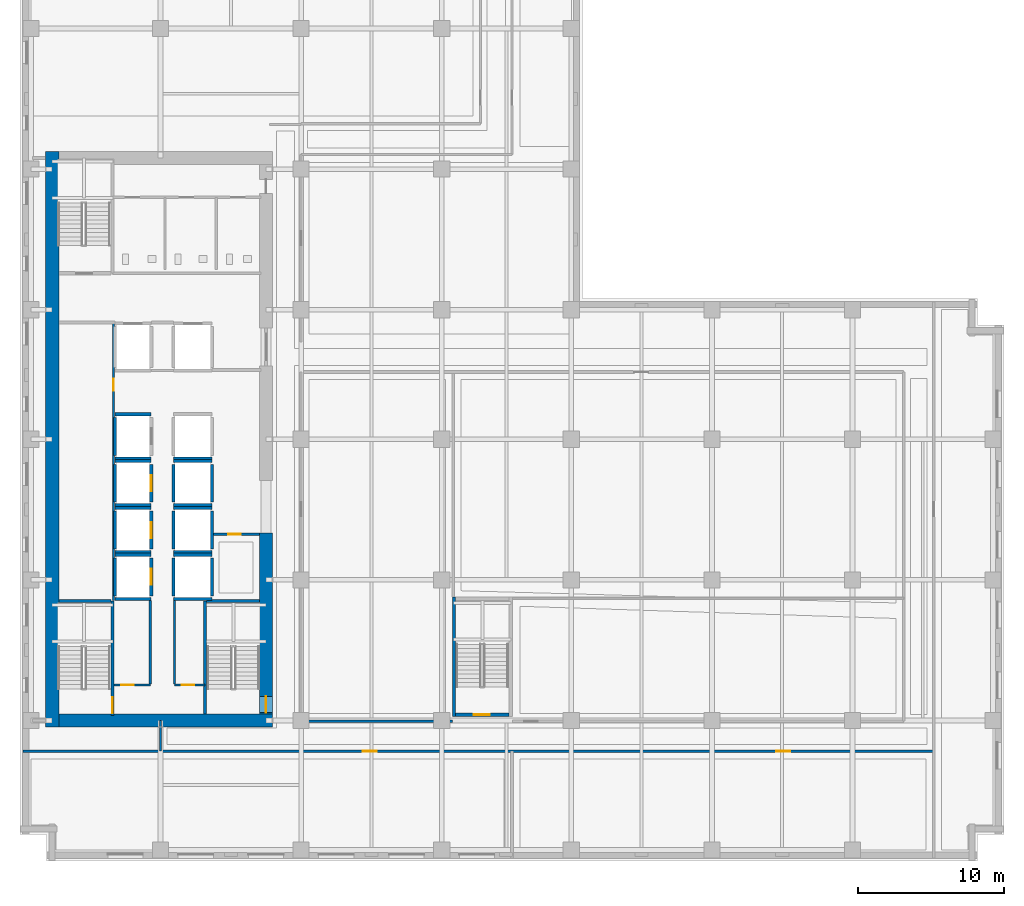
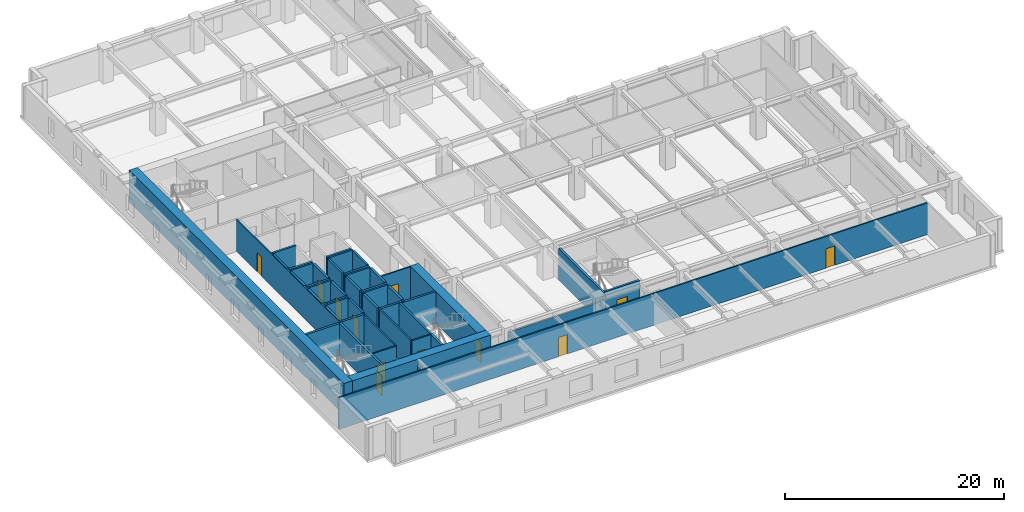
# One storey, part 4 of 15: 46 walls, 12 doors, 12 openings.
"""IFC4 building model written with IfcOpenShell, lengths in metres."""

from ifc_helpers import new_model, si_unit, direction, frame, frame_2d, origin, place, context, subcontext, project, spatial, rectangle, extrude, material, layer, layer_set, type_object, element, fill, save


model = new_model("IFC4")

# Units and contexts
model_context = context("Model", 3, precision=1e-05, world=origin(), true_north=direction((0.0, 1.0)))
body_context = subcontext(model_context, "Body", "Model", "MODEL_VIEW")
ifc_project = project(units=[si_unit("LENGTHUNIT", "METRE"), si_unit("AREAUNIT", "SQUARE_METRE"), si_unit("VOLUMEUNIT", "CUBIC_METRE"), si_unit("PLANEANGLEUNIT", "RADIAN"), si_unit("MASSUNIT", "GRAM", prefix="KILO")], contexts=[model_context])

# Site, building, storey
site_placement = place(None, origin())
site = spatial("IfcSite", under=ifc_project, at=site_placement, CompositionType="ELEMENT")
building_placement = place(site_placement, origin())
building = spatial("IfcBuilding", under=site, at=building_placement, Name="Norrvale University Quadrangle", CompositionType="ELEMENT")
storey_placement = place(building_placement, frame((0.0, 0.0, 88.800048828125)))
storey = spatial("IfcBuildingStorey", under=building, at=storey_placement, Name="L22", CompositionType="ELEMENT", Elevation=88.800048828125)

# Walls
ifc_material_1 = material(Name="Concrete C80/95", Category="concrete")
ifc_layer_1 = layer(ifc_material_1, 0.89990234375, Name="Concrete C80/95")
ifc_layer_set_1 = layer_set([ifc_layer_1], Name="Concrete C80/95")
wall_type_1 = type_object("IfcWallType", Name="Wall Core 900", PredefinedType="SHEAR", material=ifc_layer_set_1)
wall_1_placement = place(storey_placement, frame((2.64990234375, 9.60009765625, 0.0), z_axis=(0.0, 0.0, 1.0), x_axis=(1.0, 0.0, 0.0)))
element("IfcWall", 1, at=wall_1_placement, inside=storey, type_object=wall_type_1, Name="Tower Core Shear Wall L22-S", PredefinedType="SHEAR", context=body_context, shape_type="SweptSolid", body=[
    extrude(rectangle(XDim=14.60009765625, YDim=0.89990234375, at=frame_2d((7.300048828125, 0.0))), origin(), (0.0, 0.0, 1.0), 3.5400390625),
])
wall_2_placement = place(storey_placement, frame((2.199951171875, 9.14990234375, 0.0), z_axis=(0.0, 0.0, 1.0), x_axis=(0.0, 1.0, 0.0)))
element("IfcWall", 2, at=wall_2_placement, inside=storey, type_object=wall_type_1, Name="Tower Core Shear Wall L22-W", PredefinedType="SHEAR", context=body_context, shape_type="SweptSolid", body=[
    extrude(rectangle(XDim=39.300048828125, YDim=0.89990234375, at=frame_2d((19.64990234375, 0.0))), origin(), (0.0, 0.0, 1.0), 3.5400390625),
])

# Wall, opening, door
wall_3_placement = place(storey_placement, frame((16.800048828125, 10.050048828125, 0.0), z_axis=(0.0, 0.0, 1.0), x_axis=(0.0, 1.0, 0.0)))
wall_3 = element("IfcWall", 3, at=wall_3_placement, inside=storey, type_object=wall_type_1, Name="Tower Core Shear Wall L22-E1", PredefinedType="SHEAR", context=body_context, shape_type="SweptSolid", body=[
    extrude(rectangle(XDim=12.349853515625, YDim=0.89990234375, at=frame_2d((6.1748046875, 0.0))), origin(), (0.0, 0.0, 1.0), 3.5400390625),
])
opening_1_placement = place(wall_3_placement, frame((0.090087890625, 0.0, 0.0)))
opening_1 = element("IfcOpeningElement", 4, at=opening_1_placement, cuts=wall_3, Name="Opening D02", PredefinedType="OPENING", context=body_context, shape_type="SweptSolid", body=[
    extrude(rectangle(XDim=1.10009765625, YDim=2.199951171875, at=frame_2d((0.550048828125, 1.10009765625))), frame((0.0, 0.4619140625, 0.0), z_axis=(0.0, -1.0, 0.0), x_axis=(1.0, 0.0, 0.0)), (0.0, 0.0, 1.0), 0.923828125),
])
ifc_material_2 = material(Name="Hollow Steel 350W Fire Door", Category="steel")
door_type_1 = type_object("IfcDoorType", Name="Door Stair Exit 1100x2200", OperationType="NOTDEFINED", PredefinedType="DOOR", material=ifc_material_2)
door_1_placement = place(opening_1_placement, origin())
door_1 = element("IfcDoor", 5, at=door_1_placement, inside=storey, type_object=door_type_1, Name="Door Stair Exit 1100x2200 DR-L22-ST03", OperationType="SINGLE_SWING_LEFT", OverallHeight=2.199951171875, OverallWidth=1.10009765625, PredefinedType="DOOR", context=body_context, shape_type="SweptSolid", body=[
    extrude(rectangle(XDim=1.10009765625, YDim=2.199951171875, at=frame_2d((0.550048828125, 1.10009765625))), frame((0.0, 0.02490234375, 0.0), z_axis=(0.0, -1.0, 0.0), x_axis=(1.0, 0.0, 0.0)), (0.0, 0.0, 1.0), 0.050048828125),
])
fill(opening_1, door_1)

ifc_material_3 = material(Name="Fire-Rated Gypsum Stud Partition")
ifc_layer_2 = layer(ifc_material_3, 0.14990234375, Name="Fire-Rated Gypsum Stud Partition")
ifc_layer_set_2 = layer_set([ifc_layer_2], Name="Fire-Rated Gypsum Stud Partition")
wall_type_2 = type_object("IfcWallType", Name="Wall Gypsum Corridor 150", PredefinedType="PARTITIONING", material=ifc_layer_set_2)
wall_4_placement = place(storey_placement, frame((6.419921875, 12.02001953125, 0.0), z_axis=(0.0, 0.0, 1.0), x_axis=(1.0, 0.0, 0.0)))
wall_4 = element("IfcWall", 6, at=wall_4_placement, inside=storey, type_object=wall_type_2, Name="Interior Partition WL-L22-SC-NL", PredefinedType="PARTITIONING", context=body_context, shape_type="SweptSolid", body=[
    extrude(rectangle(XDim=2.47998046875, YDim=0.14990234375, at=frame_2d((1.239990234375, 0.0))), origin(), (0.0, 0.0, 1.0), 3.5400390625),
])
opening_2_placement = place(wall_4_placement, frame((0.5, 0.0, 0.0)))
opening_2 = element("IfcOpeningElement", 7, at=opening_2_placement, cuts=wall_4, Name="Opening D10", PredefinedType="OPENING", context=body_context, shape_type="SweptSolid", body=[
    extrude(rectangle(XDim=0.85009765625, YDim=2.10009765625, at=frame_2d((0.425048828125, 1.050048828125))), frame((0.0, 0.0869140625, 0.0), z_axis=(0.0, -1.0, 0.0), x_axis=(1.0, 0.0, 0.0)), (0.0, 0.0, 1.0), 0.173828125),
])
ifc_material_4 = material(Name="Hollow Steel 350W Riser Fire Door", Category="steel")
door_type_2 = type_object("IfcDoorType", Name="Door Riser 850x2100", OperationType="NOTDEFINED", PredefinedType="DOOR", material=ifc_material_4)
door_2_placement = place(opening_2_placement, origin())
door_2 = element("IfcDoor", 8, at=door_2_placement, inside=storey, type_object=door_type_2, Name="Door Riser 850x2100 DR-L22-ELEC", OperationType="SINGLE_SWING_LEFT", OverallHeight=2.10009765625, OverallWidth=0.85009765625, PredefinedType="DOOR", context=body_context, shape_type="SweptSolid", body=[
    extrude(rectangle(XDim=0.85009765625, YDim=2.10009765625, at=frame_2d((0.425048828125, 1.050048828125))), frame((0.0, 0.02490234375, 0.0), z_axis=(0.0, -1.0, 0.0), x_axis=(1.0, 0.0, 0.0)), (0.0, 0.0, 1.0), 0.050048828125),
])
fill(opening_2, door_2)

wall_5_placement = place(storey_placement, frame((10.550048828125, 12.02001953125, 0.0), z_axis=(0.0, 0.0, 1.0), x_axis=(1.0, 0.0, 0.0)))
wall_5 = element("IfcWall", 9, at=wall_5_placement, inside=storey, type_object=wall_type_2, Name="Interior Partition WL-L22-SC-NR", PredefinedType="PARTITIONING", context=body_context, shape_type="SweptSolid", body=[
    extrude(rectangle(XDim=2.079833984375, YDim=0.14990234375, at=frame_2d((1.0400390625, 0.0))), origin(), (0.0, 0.0, 1.0), 3.5400390625),
])
opening_3_placement = place(wall_5_placement, frame((0.5, 0.0, 0.0)))
opening_3 = element("IfcOpeningElement", 10, at=opening_3_placement, cuts=wall_5, Name="Opening D10", PredefinedType="OPENING", context=body_context, shape_type="SweptSolid", body=[
    extrude(rectangle(XDim=0.85009765625, YDim=2.10009765625, at=frame_2d((0.425048828125, 1.050048828125))), frame((0.0, 0.0869140625, 0.0), z_axis=(0.0, -1.0, 0.0), x_axis=(1.0, 0.0, 0.0)), (0.0, 0.0, 1.0), 0.173828125),
])
door_3_placement = place(opening_3_placement, origin())
door_3 = element("IfcDoor", 11, at=door_3_placement, inside=storey, type_object=door_type_2, Name="Door Riser 850x2100 DR-L22-IDF", OperationType="SINGLE_SWING_RIGHT", OverallHeight=2.10009765625, OverallWidth=0.85009765625, PredefinedType="DOOR", context=body_context, shape_type="SweptSolid", body=[
    extrude(rectangle(XDim=0.85009765625, YDim=2.10009765625, at=frame_2d((0.425048828125, 1.050048828125))), frame((0.0, 0.02490234375, 0.0), z_axis=(0.0, -1.0, 0.0), x_axis=(1.0, 0.0, 0.0)), (0.0, 0.0, 1.0), 0.050048828125),
])
fill(opening_3, door_3)

# Walls
for number, where, z_axis, x_axis, name in (
    (12, (8.89990234375, 12.094970703125, 0.0), (0.0, 0.0, 1.0), (0.0, 1.0, 0.0), "Interior Partition WL-L22-SC-WL"),
    (13, (10.550048828125, 12.094970703125, 0.0), (0.0, 0.0, 1.0), (0.0, 1.0, 0.0), "Interior Partition WL-L22-SC-WR"),
):
    element("IfcWall", number, at=place(storey_placement, frame(where, z_axis=z_axis, x_axis=x_axis)), inside=storey, type_object=wall_type_2, Name=name, PredefinedType="PARTITIONING", context=body_context, shape_type="SweptSolid", body=[
        extrude(rectangle(XDim=5.679931640625, YDim=0.14990234375, at=frame_2d((2.83984375, 0.0))), origin(), (0.0, 0.0, 1.0), 3.5400390625),
    ])

# Wall, opening, door
wall_6_placement = place(storey_placement, frame((13.22509765625, 22.320068359375, 0.0), z_axis=(0.0, 0.0, 1.0), x_axis=(1.0, 0.0, 0.0)))
wall_6 = element("IfcWall", 14, at=wall_6_placement, inside=storey, type_object=wall_type_2, Name="Interior Partition WL-L22-JAN-N", PredefinedType="PARTITIONING", context=body_context, shape_type="SweptSolid", body=[
    extrude(rectangle(XDim=3.119873046875, YDim=0.14990234375, at=frame_2d((1.56005859375, 0.0))), origin(), (0.0, 0.0, 1.0), 3.5400390625),
])
opening_4_placement = place(wall_6_placement, frame((1.0, 0.0, 0.0)))
opening_4 = element("IfcOpeningElement", 15, at=opening_4_placement, cuts=wall_6, Name="Opening D10", PredefinedType="OPENING", context=body_context, shape_type="SweptSolid", body=[
    extrude(rectangle(XDim=0.85009765625, YDim=2.10009765625, at=frame_2d((0.425048828125, 1.050048828125))), frame((0.0, 0.0869140625, 0.0), z_axis=(0.0, -1.0, 0.0), x_axis=(1.0, 0.0, 0.0)), (0.0, 0.0, 1.0), 0.173828125),
])
door_4_placement = place(opening_4_placement, origin())
door_4 = element("IfcDoor", 16, at=door_4_placement, inside=storey, type_object=door_type_2, Name="Door Riser 850x2100 DR-L22-JAN", OperationType="SINGLE_SWING_LEFT", OverallHeight=2.10009765625, OverallWidth=0.85009765625, PredefinedType="DOOR", context=body_context, shape_type="SweptSolid", body=[
    extrude(rectangle(XDim=0.85009765625, YDim=2.10009765625, at=frame_2d((0.425048828125, 1.050048828125))), frame((0.0, 0.02490234375, 0.0), z_axis=(0.0, -1.0, 0.0), x_axis=(1.0, 0.0, 0.0)), (0.0, 0.0, 1.0), 0.050048828125),
])
fill(opening_4, door_4)

wall_7_placement = place(storey_placement, frame((6.3798828125, 17.800048828125, 0.0), z_axis=(0.0, 0.0, 1.0), x_axis=(0.0, 1.0, 0.0)))
wall_7 = element("IfcWall", 17, at=wall_7_placement, inside=storey, type_object=wall_type_2, Name="Interior Partition WL-L22-WME-E", PredefinedType="PARTITIONING", context=body_context, shape_type="SweptSolid", body=[
    extrude(rectangle(XDim=18.97998046875, YDim=0.14990234375, at=frame_2d((9.489990234375, 0.0))), origin(), (0.0, 0.0, 1.0), 3.5400390625),
])
opening_5_placement = place(wall_7_placement, frame((14.300048828125, 0.0, 0.0)))
opening_5 = element("IfcOpeningElement", 18, at=opening_5_placement, cuts=wall_7, Name="Opening D10", PredefinedType="OPENING", context=body_context, shape_type="SweptSolid", body=[
    extrude(rectangle(XDim=0.85009765625, YDim=2.10009765625, at=frame_2d((0.425048828125, 1.050048828125))), frame((0.0, 0.0869140625, 0.0), z_axis=(0.0, -1.0, 0.0), x_axis=(1.0, 0.0, 0.0)), (0.0, 0.0, 1.0), 0.173828125),
])
door_5_placement = place(opening_5_placement, origin())
door_5 = element("IfcDoor", 19, at=door_5_placement, inside=storey, type_object=door_type_2, Name="Door Riser 850x2100 DR-L22-WME", OperationType="SINGLE_SWING_LEFT", OverallHeight=2.10009765625, OverallWidth=0.85009765625, PredefinedType="DOOR", context=body_context, shape_type="SweptSolid", body=[
    extrude(rectangle(XDim=0.85009765625, YDim=2.10009765625, at=frame_2d((0.425048828125, 1.050048828125))), frame((0.0, 0.02490234375, 0.0), z_axis=(0.0, -1.0, 0.0), x_axis=(1.0, 0.0, 0.0)), (0.0, 0.0, 1.0), 0.050048828125),
])
fill(opening_5, door_5)

# Wall
wall_8_placement = place(storey_placement, frame((9.60009765625, 7.5, 0.0), z_axis=(0.0, 0.0, 1.0), x_axis=(0.0, 1.0, 0.0)))
element("IfcWall", 20, at=wall_8_placement, inside=storey, type_object=wall_type_2, Name="Interior Partition WL-L22-CSW-END", PredefinedType="PARTITIONING", context=body_context, shape_type="SweptSolid", body=[
    extrude(rectangle(XDim=2.10009765625, YDim=0.14990234375, at=frame_2d((1.050048828125, 0.0))), origin(), (0.0, 0.0, 1.0), 2.924072265625),
])

# Wall, openings, doors
wall_9_placement = place(storey_placement, frame((0.219970703125, 7.5, 0.0), z_axis=(0.0, 0.0, 1.0), x_axis=(1.0, 0.0, 0.0)))
wall_9 = element("IfcWall", 21, at=wall_9_placement, inside=storey, type_object=wall_type_2, Name="Interior Partition WL-L22-SCW", PredefinedType="PARTITIONING", context=body_context, shape_type="SweptSolid", body=[
    extrude(rectangle(XDim=62.179931640625, YDim=0.14990234375, at=frame_2d((31.08984375, 0.0))), origin(), (0.0, 0.0, 1.0), 3.5400390625),
])
opening_6_placement = place(wall_9_placement, frame((23.179931640625, 0.0, 0.0)))
opening_6 = element("IfcOpeningElement", 22, at=opening_6_placement, cuts=wall_9, Name="Opening D07", PredefinedType="OPENING", context=body_context, shape_type="SweptSolid", body=[
    extrude(rectangle(XDim=0.949951171875, YDim=2.14990234375, at=frame_2d((0.47509765625, 1.074951171875))), frame((0.0, 0.0869140625, 0.0), z_axis=(0.0, -1.0, 0.0), x_axis=(1.0, 0.0, 0.0)), (0.0, 0.0, 1.0), 0.173828125),
])
opening_7_placement = place(wall_9_placement, frame((51.429931640625, 0.0, 0.0)))
opening_7 = element("IfcOpeningElement", 23, at=opening_7_placement, cuts=wall_9, Name="Opening D07", PredefinedType="OPENING", context=body_context, shape_type="SweptSolid", body=[
    extrude(rectangle(XDim=0.949951171875, YDim=2.14990234375, at=frame_2d((0.47509765625, 1.074951171875))), frame((0.0, 0.0869140625, 0.0), z_axis=(0.0, -1.0, 0.0), x_axis=(1.0, 0.0, 0.0)), (0.0, 0.0, 1.0), 0.173828125),
])
ifc_material_5 = material(Name="Solid-Core Maple Door", Category="wood")
door_type_3 = type_object("IfcDoorType", Name="Door Office 950x2150", OperationType="NOTDEFINED", PredefinedType="DOOR", material=ifc_material_5)
door_6_placement = place(opening_6_placement, origin())
door_6 = element("IfcDoor", 24, at=door_6_placement, inside=storey, type_object=door_type_3, Name="Door Office 950x2150 DR-L22-S01", OperationType="SINGLE_SWING_LEFT", OverallHeight=2.14990234375, OverallWidth=0.949951171875, PredefinedType="DOOR", context=body_context, shape_type="SweptSolid", body=[
    extrude(rectangle(XDim=0.949951171875, YDim=2.14990234375, at=frame_2d((0.47509765625, 1.074951171875))), frame((0.0, 0.02490234375, 0.0), z_axis=(0.0, -1.0, 0.0), x_axis=(1.0, 0.0, 0.0)), (0.0, 0.0, 1.0), 0.050048828125),
])
fill(opening_6, door_6)
door_7_placement = place(opening_7_placement, origin())
door_7 = element("IfcDoor", 25, at=door_7_placement, inside=storey, type_object=door_type_3, Name="Door Office 950x2150 DR-L22-S02", OperationType="SINGLE_SWING_RIGHT", OverallHeight=2.14990234375, OverallWidth=0.949951171875, PredefinedType="DOOR", context=body_context, shape_type="SweptSolid", body=[
    extrude(rectangle(XDim=0.949951171875, YDim=2.14990234375, at=frame_2d((0.47509765625, 1.074951171875))), frame((0.0, 0.02490234375, 0.0), z_axis=(0.0, -1.0, 0.0), x_axis=(1.0, 0.0, 0.0)), (0.0, 0.0, 1.0), 0.050048828125),
])
fill(opening_7, door_7)

# Wall
wall_10_placement = place(storey_placement, frame((19.280029296875, 9.550048828125, 0.0), z_axis=(0.0, 0.0, 1.0), x_axis=(1.0, 0.0, 0.0)))
element("IfcWall", 26, at=wall_10_placement, inside=storey, type_object=wall_type_2, Name="Interior Partition WL-L22-ISLS1", PredefinedType="PARTITIONING", context=body_context, shape_type="SweptSolid", body=[
    extrude(rectangle(XDim=10.244873046875, YDim=0.14990234375, at=frame_2d((5.12255859375, 0.0))), origin(), (0.0, 0.0, 1.0), 2.924072265625),
])

# Wall, opening, door
ifc_material_6 = material(Name="Concrete Blockwork 20 MPa Fire Shaft", Category="masonry")
ifc_layer_3 = layer(ifc_material_6, 0.219970703125, Name="Concrete Blockwork 20 MPa Fire Shaft")
ifc_layer_set_3 = layer_set([ifc_layer_3], Name="Concrete Blockwork 20 MPa Fire Shaft")
wall_type_3 = type_object("IfcWallType", Name="Wall Shaft 220", PredefinedType="SOLIDWALL", material=ifc_layer_set_3)
wall_11_placement = place(storey_placement, frame((6.31005859375, 9.949951171875, 0.0), z_axis=(0.0, 0.0, 1.0), x_axis=(0.0, 1.0, 0.0)))
wall_11 = element("IfcWall", 27, at=wall_11_placement, inside=storey, type_object=wall_type_3, Name="Stair ST-01 East Shaft Wall L22", PredefinedType="SOLIDWALL", context=body_context, shape_type="SweptSolid", body=[
    extrude(rectangle(XDim=7.81005859375, YDim=0.219970703125, at=frame_2d((3.905029296875, 0.0))), origin(), (0.0, 0.0, 1.0), 3.5400390625),
])
opening_8_placement = place(wall_11_placement, frame((0.139892578125, 0.0, 0.0)))
opening_8 = element("IfcOpeningElement", 28, at=opening_8_placement, cuts=wall_11, Name="Opening D02", PredefinedType="OPENING", context=body_context, shape_type="SweptSolid", body=[
    extrude(rectangle(XDim=1.10009765625, YDim=2.199951171875, at=frame_2d((0.550048828125, 1.10009765625))), frame((0.0, 0.1220703125, 0.0), z_axis=(0.0, -1.0, 0.0), x_axis=(1.0, 0.0, 0.0)), (0.0, 0.0, 1.0), 0.243896484375),
])
door_8_placement = place(opening_8_placement, origin())
door_8 = element("IfcDoor", 29, at=door_8_placement, inside=storey, type_object=door_type_1, Name="Door Stair Exit 1100x2200 DR-L22-ST01", OperationType="SINGLE_SWING_LEFT", OverallHeight=2.199951171875, OverallWidth=1.10009765625, PredefinedType="DOOR", context=body_context, shape_type="SweptSolid", body=[
    extrude(rectangle(XDim=1.10009765625, YDim=2.199951171875, at=frame_2d((0.550048828125, 1.10009765625))), frame((0.0, 0.02490234375, 0.0), z_axis=(0.0, -1.0, 0.0), x_axis=(1.0, 0.0, 0.0)), (0.0, 0.0, 1.0), 0.050048828125),
])
fill(opening_8, door_8)

# Walls
wall_12_placement = place(storey_placement, frame((2.64990234375, 17.760009765625, 0.0), z_axis=(0.0, 0.0, 1.0), x_axis=(1.0, 0.0, 0.0)))
element("IfcWall", 30, at=wall_12_placement, inside=storey, type_object=wall_type_3, Name="Stair ST-01 North Shaft Wall L22", PredefinedType="SOLIDWALL", context=body_context, shape_type="SweptSolid", body=[
    extrude(rectangle(XDim=3.550048828125, YDim=0.219970703125, at=frame_2d((1.77490234375, 0.0))), origin(), (0.0, 0.0, 1.0), 3.5400390625),
])
wall_13_placement = place(storey_placement, frame((12.639892578125, 10.050048828125, 0.0), z_axis=(0.0, 0.0, 1.0), x_axis=(0.0, 1.0, 0.0)))
element("IfcWall", 31, at=wall_13_placement, inside=storey, type_object=wall_type_3, Name="Stair ST-03 West Shaft Wall L22", PredefinedType="SOLIDWALL", context=body_context, shape_type="SweptSolid", body=[
    extrude(rectangle(XDim=7.7099609375, YDim=0.219970703125, at=frame_2d((3.85498046875, 0.0))), origin(), (0.0, 0.0, 1.0), 3.5400390625),
])
wall_14_placement = place(storey_placement, frame((12.75, 17.760009765625, 0.0), z_axis=(0.0, 0.0, 1.0), x_axis=(1.0, 0.0, 0.0)))
element("IfcWall", 32, at=wall_14_placement, inside=storey, type_object=wall_type_3, Name="Stair ST-03 North Shaft Wall L22", PredefinedType="SOLIDWALL", context=body_context, shape_type="SweptSolid", body=[
    extrude(rectangle(XDim=3.60009765625, YDim=0.219970703125, at=frame_2d((1.800048828125, 0.0))), origin(), (0.0, 0.0, 1.0), 3.5400390625),
])

# Wall, opening, door
wall_15_placement = place(storey_placement, frame((29.75, 9.989990234375, 0.0), z_axis=(0.0, 0.0, 1.0), x_axis=(1.0, 0.0, 0.0)))
wall_15 = element("IfcWall", 33, at=wall_15_placement, inside=storey, type_object=wall_type_3, Name="Stair ST-04 South Shaft Wall L22", PredefinedType="SOLIDWALL", context=body_context, shape_type="SweptSolid", body=[
    extrude(rectangle(XDim=3.64990234375, YDim=0.219970703125, at=frame_2d((1.824951171875, 0.0))), origin(), (0.0, 0.0, 1.0), 3.5400390625),
])
opening_9_placement = place(wall_15_placement, frame((1.239990234375, 0.0, 0.0)))
opening_9 = element("IfcOpeningElement", 34, at=opening_9_placement, cuts=wall_15, Name="Opening D02", PredefinedType="OPENING", context=body_context, shape_type="SweptSolid", body=[
    extrude(rectangle(XDim=1.10009765625, YDim=2.199951171875, at=frame_2d((0.550048828125, 1.10009765625))), frame((0.0, 0.1220703125, 0.0), z_axis=(0.0, -1.0, 0.0), x_axis=(1.0, 0.0, 0.0)), (0.0, 0.0, 1.0), 0.243896484375),
])
door_9_placement = place(opening_9_placement, origin())
door_9 = element("IfcDoor", 35, at=door_9_placement, inside=storey, type_object=door_type_1, Name="Door Stair Exit 1100x2200 DR-L22-ST04", OperationType="SINGLE_SWING_LEFT", OverallHeight=2.199951171875, OverallWidth=1.10009765625, PredefinedType="DOOR", context=body_context, shape_type="SweptSolid", body=[
    extrude(rectangle(XDim=1.10009765625, YDim=2.199951171875, at=frame_2d((0.550048828125, 1.10009765625))), frame((0.0, 0.02490234375, 0.0), z_axis=(0.0, -1.0, 0.0), x_axis=(1.0, 0.0, 0.0)), (0.0, 0.0, 1.0), 0.050048828125),
])
fill(opening_9, door_9)

# Walls
wall_16_placement = place(storey_placement, frame((29.639892578125, 9.8798828125, 0.0), z_axis=(0.0, 0.0, 1.0), x_axis=(0.0, 1.0, 0.0)))
element("IfcWall", 36, at=wall_16_placement, inside=storey, type_object=wall_type_3, Name="Stair ST-04 West Shaft Wall L22", PredefinedType="SOLIDWALL", context=body_context, shape_type="SweptSolid", body=[
    extrude(rectangle(XDim=8.14013671875, YDim=0.219970703125, at=frame_2d((4.070068359375, 0.0))), origin(), (0.0, 0.0, 1.0), 3.5400390625),
])
wall_17_placement = place(storey_placement, frame((6.489990234375, 18.110107421875, 0.0), z_axis=(0.0, 0.0, 1.0), x_axis=(0.0, 1.0, 0.0)))
element("IfcWall", 37, at=wall_17_placement, inside=storey, type_object=wall_type_3, Name="Hoistway PL-01 West Wall L22", PredefinedType="SOLIDWALL", context=body_context, shape_type="SweptSolid", body=[
    extrude(rectangle(XDim=2.579833984375, YDim=0.219970703125, at=frame_2d((1.2900390625, 0.0))), origin(), (0.0, 0.0, 1.0), 3.5400390625),
])

# Wall, opening, door
wall_18_placement = place(storey_placement, frame((8.9599609375, 18.110107421875, 0.0), z_axis=(0.0, 0.0, 1.0), x_axis=(0.0, 1.0, 0.0)))
wall_18 = element("IfcWall", 38, at=wall_18_placement, inside=storey, type_object=wall_type_3, Name="Hoistway PL-01 East Wall L22", PredefinedType="SOLIDWALL", context=body_context, shape_type="SweptSolid", body=[
    extrude(rectangle(XDim=2.579833984375, YDim=0.219970703125, at=frame_2d((1.2900390625, 0.0))), origin(), (0.0, 0.0, 1.0), 3.5400390625),
])
opening_10_placement = place(wall_18_placement, frame((0.739990234375, 0.0, 0.0)))
opening_10 = element("IfcOpeningElement", 39, at=opening_10_placement, cuts=wall_18, Name="Opening LD1", PredefinedType="OPENING", context=body_context, shape_type="SweptSolid", body=[
    extrude(rectangle(XDim=1.10009765625, YDim=2.199951171875, at=frame_2d((0.550048828125, 1.10009765625))), frame((0.0, 0.1220703125, 0.0), z_axis=(0.0, -1.0, 0.0), x_axis=(1.0, 0.0, 0.0)), (0.0, 0.0, 1.0), 0.243896484375),
])
ifc_material_7 = material(Name="Stainless Steel 316L Lift Landing Door", Category="steel")
door_type_4 = type_object("IfcDoorType", Name="Door Lift Landing 1100x2200", OperationType="DOUBLE_DOOR_SLIDING", PredefinedType="DOOR", material=ifc_material_7)
door_10_placement = place(opening_10_placement, origin())
door_10 = element("IfcDoor", 40, at=door_10_placement, inside=storey, type_object=door_type_4, Name="Elevator Landing Door DR-L22-PL-01", OperationType="DOUBLE_DOOR_SLIDING", OverallHeight=2.199951171875, OverallWidth=1.10009765625, PredefinedType="DOOR", context=body_context, shape_type="SweptSolid", body=[
    extrude(rectangle(XDim=1.10009765625, YDim=2.199951171875, at=frame_2d((0.550048828125, 1.10009765625))), frame((0.0, 0.02490234375, 0.0), z_axis=(0.0, -1.0, 0.0), x_axis=(1.0, 0.0, 0.0)), (0.0, 0.0, 1.0), 0.050048828125),
])
fill(opening_10, door_10)

# Walls
for number, where, z_axis, x_axis, name in (
    (41, (6.489990234375, 17.889892578125, 0.0), (0.0, 0.0, 1.0), (1.0, 0.0, 0.0), "Hoistway PL-01 South Wall L22"),
    (42, (6.489990234375, 20.909912109375, 0.0), (0.0, 0.0, 1.0), (1.0, 0.0, 0.0), "Hoistway PL-01 North Wall L22"),
):
    element("IfcWall", number, at=place(storey_placement, frame(where, z_axis=z_axis, x_axis=x_axis)), inside=storey, type_object=wall_type_3, Name=name, PredefinedType="SOLIDWALL", context=body_context, shape_type="SweptSolid", body=[
        extrude(rectangle(XDim=2.469970703125, YDim=0.219970703125, at=frame_2d((1.23486328125, 0.0))), origin(), (0.0, 0.0, 1.0), 3.5400390625),
    ])
wall_19_placement = place(storey_placement, frame((6.489990234375, 21.31005859375, 0.0), z_axis=(0.0, 0.0, 1.0), x_axis=(0.0, 1.0, 0.0)))
element("IfcWall", 43, at=wall_19_placement, inside=storey, type_object=wall_type_3, Name="Hoistway PL-02 West Wall L22", PredefinedType="SOLIDWALL", context=body_context, shape_type="SweptSolid", body=[
    extrude(rectangle(XDim=2.579833984375, YDim=0.219970703125, at=frame_2d((1.2900390625, 0.0))), origin(), (0.0, 0.0, 1.0), 3.5400390625),
])

# Wall, opening, door
wall_20_placement = place(storey_placement, frame((8.9599609375, 21.31005859375, 0.0), z_axis=(0.0, 0.0, 1.0), x_axis=(0.0, 1.0, 0.0)))
wall_20 = element("IfcWall", 44, at=wall_20_placement, inside=storey, type_object=wall_type_3, Name="Hoistway PL-02 East Wall L22", PredefinedType="SOLIDWALL", context=body_context, shape_type="SweptSolid", body=[
    extrude(rectangle(XDim=2.579833984375, YDim=0.219970703125, at=frame_2d((1.2900390625, 0.0))), origin(), (0.0, 0.0, 1.0), 3.5400390625),
])
opening_11_placement = place(wall_20_placement, frame((0.739990234375, 0.0, 0.0)))
opening_11 = element("IfcOpeningElement", 45, at=opening_11_placement, cuts=wall_20, Name="Opening LD1", PredefinedType="OPENING", context=body_context, shape_type="SweptSolid", body=[
    extrude(rectangle(XDim=1.10009765625, YDim=2.199951171875, at=frame_2d((0.550048828125, 1.10009765625))), frame((0.0, 0.1220703125, 0.0), z_axis=(0.0, -1.0, 0.0), x_axis=(1.0, 0.0, 0.0)), (0.0, 0.0, 1.0), 0.243896484375),
])
door_11_placement = place(opening_11_placement, origin())
door_11 = element("IfcDoor", 46, at=door_11_placement, inside=storey, type_object=door_type_4, Name="Elevator Landing Door DR-L22-PL-02", OperationType="DOUBLE_DOOR_SLIDING", OverallHeight=2.199951171875, OverallWidth=1.10009765625, PredefinedType="DOOR", context=body_context, shape_type="SweptSolid", body=[
    extrude(rectangle(XDim=1.10009765625, YDim=2.199951171875, at=frame_2d((0.550048828125, 1.10009765625))), frame((0.0, 0.02490234375, 0.0), z_axis=(0.0, -1.0, 0.0), x_axis=(1.0, 0.0, 0.0)), (0.0, 0.0, 1.0), 0.050048828125),
])
fill(opening_11, door_11)

# Walls
for number, where, z_axis, x_axis, name in (
    (47, (6.489990234375, 21.090087890625, 0.0), (0.0, 0.0, 1.0), (1.0, 0.0, 0.0), "Hoistway PL-02 South Wall L22"),
    (48, (6.489990234375, 24.110107421875, 0.0), (0.0, 0.0, 1.0), (1.0, 0.0, 0.0), "Hoistway PL-02 North Wall L22"),
):
    element("IfcWall", number, at=place(storey_placement, frame(where, z_axis=z_axis, x_axis=x_axis)), inside=storey, type_object=wall_type_3, Name=name, PredefinedType="SOLIDWALL", context=body_context, shape_type="SweptSolid", body=[
        extrude(rectangle(XDim=2.469970703125, YDim=0.219970703125, at=frame_2d((1.23486328125, 0.0))), origin(), (0.0, 0.0, 1.0), 3.5400390625),
    ])
wall_21_placement = place(storey_placement, frame((6.489990234375, 24.510009765625, 0.0), z_axis=(0.0, 0.0, 1.0), x_axis=(0.0, 1.0, 0.0)))
element("IfcWall", 49, at=wall_21_placement, inside=storey, type_object=wall_type_3, Name="Hoistway PL-03 West Wall L22", PredefinedType="SOLIDWALL", context=body_context, shape_type="SweptSolid", body=[
    extrude(rectangle(XDim=2.580078125, YDim=0.219970703125, at=frame_2d((1.2900390625, 0.0))), origin(), (0.0, 0.0, 1.0), 3.5400390625),
])

# Wall, opening, door
wall_22_placement = place(storey_placement, frame((8.9599609375, 24.510009765625, 0.0), z_axis=(0.0, 0.0, 1.0), x_axis=(0.0, 1.0, 0.0)))
wall_22 = element("IfcWall", 50, at=wall_22_placement, inside=storey, type_object=wall_type_3, Name="Hoistway PL-03 East Wall L22", PredefinedType="SOLIDWALL", context=body_context, shape_type="SweptSolid", body=[
    extrude(rectangle(XDim=2.580078125, YDim=0.219970703125, at=frame_2d((1.2900390625, 0.0))), origin(), (0.0, 0.0, 1.0), 3.5400390625),
])
opening_12_placement = place(wall_22_placement, frame((0.739990234375, 0.0, 0.0)))
opening_12 = element("IfcOpeningElement", 51, at=opening_12_placement, cuts=wall_22, Name="Opening LD1", PredefinedType="OPENING", context=body_context, shape_type="SweptSolid", body=[
    extrude(rectangle(XDim=1.10009765625, YDim=2.199951171875, at=frame_2d((0.550048828125, 1.10009765625))), frame((0.0, 0.1220703125, 0.0), z_axis=(0.0, -1.0, 0.0), x_axis=(1.0, 0.0, 0.0)), (0.0, 0.0, 1.0), 0.243896484375),
])
door_12_placement = place(opening_12_placement, origin())
door_12 = element("IfcDoor", 52, at=door_12_placement, inside=storey, type_object=door_type_4, Name="Elevator Landing Door DR-L22-PL-03", OperationType="DOUBLE_DOOR_SLIDING", OverallHeight=2.199951171875, OverallWidth=1.10009765625, PredefinedType="DOOR", context=body_context, shape_type="SweptSolid", body=[
    extrude(rectangle(XDim=1.10009765625, YDim=2.199951171875, at=frame_2d((0.550048828125, 1.10009765625))), frame((0.0, 0.02490234375, 0.0), z_axis=(0.0, -1.0, 0.0), x_axis=(1.0, 0.0, 0.0)), (0.0, 0.0, 1.0), 0.050048828125),
])
fill(opening_12, door_12)

# Walls
for number, where, z_axis, x_axis, name in (
    (53, (6.489990234375, 24.2900390625, 0.0), (0.0, 0.0, 1.0), (1.0, 0.0, 0.0), "Hoistway PL-03 South Wall L22"),
    (54, (6.489990234375, 27.31005859375, 0.0), (0.0, 0.0, 1.0), (1.0, 0.0, 0.0), "Hoistway PL-03 North Wall L22"),
):
    element("IfcWall", number, at=place(storey_placement, frame(where, z_axis=z_axis, x_axis=x_axis)), inside=storey, type_object=wall_type_3, Name=name, PredefinedType="SOLIDWALL", context=body_context, shape_type="SweptSolid", body=[
        extrude(rectangle(XDim=2.469970703125, YDim=0.219970703125, at=frame_2d((1.23486328125, 0.0))), origin(), (0.0, 0.0, 1.0), 3.5400390625),
    ])
wall_23_placement = place(storey_placement, frame((6.489990234375, 27.7099609375, 0.0), z_axis=(0.0, 0.0, 1.0), x_axis=(0.0, 1.0, 0.0)))
element("IfcWall", 55, at=wall_23_placement, inside=storey, type_object=wall_type_3, Name="Hoistway PL-04 West Wall L22", PredefinedType="SOLIDWALL", context=body_context, shape_type="SweptSolid", body=[
    extrude(rectangle(XDim=2.580078125, YDim=0.219970703125, at=frame_2d((1.2900390625, 0.0))), origin(), (0.0, 0.0, 1.0), 3.5400390625),
])
for number, where, z_axis, x_axis, name in (
    (56, (6.489990234375, 27.489990234375, 0.0), (0.0, 0.0, 1.0), (1.0, 0.0, 0.0), "Hoistway PL-04 South Wall L22"),
    (57, (6.489990234375, 30.510009765625, 0.0), (0.0, 0.0, 1.0), (1.0, 0.0, 0.0), "Hoistway PL-04 North Wall L22"),
):
    element("IfcWall", number, at=place(storey_placement, frame(where, z_axis=z_axis, x_axis=x_axis)), inside=storey, type_object=wall_type_3, Name=name, PredefinedType="SOLIDWALL", context=body_context, shape_type="SweptSolid", body=[
        extrude(rectangle(XDim=2.469970703125, YDim=0.219970703125, at=frame_2d((1.23486328125, 0.0))), origin(), (0.0, 0.0, 1.0), 3.5400390625),
    ])
for number, where, z_axis, x_axis, name in (
    (58, (10.489990234375, 18.110107421875, 0.0), (0.0, 0.0, 1.0), (0.0, 1.0, 0.0), "Hoistway PL-05 West Wall L22"),
    (59, (13.110107421875, 18.110107421875, 0.0), (0.0, 0.0, 1.0), (0.0, 1.0, 0.0), "Hoistway PL-05 East Wall L22"),
):
    element("IfcWall", number, at=place(storey_placement, frame(where, z_axis=z_axis, x_axis=x_axis)), inside=storey, type_object=wall_type_3, Name=name, PredefinedType="SOLIDWALL", context=body_context, shape_type="SweptSolid", body=[
        extrude(rectangle(XDim=2.579833984375, YDim=0.219970703125, at=frame_2d((1.2900390625, 0.0))), origin(), (0.0, 0.0, 1.0), 3.5400390625),
    ])
for number, where, z_axis, x_axis, name in (
    (60, (10.489990234375, 17.889892578125, 0.0), (0.0, 0.0, 1.0), (1.0, 0.0, 0.0), "Hoistway PL-05 South Wall L22"),
    (61, (10.489990234375, 20.909912109375, 0.0), (0.0, 0.0, 1.0), (1.0, 0.0, 0.0), "Hoistway PL-05 North Wall L22"),
):
    element("IfcWall", number, at=place(storey_placement, frame(where, z_axis=z_axis, x_axis=x_axis)), inside=storey, type_object=wall_type_3, Name=name, PredefinedType="SOLIDWALL", context=body_context, shape_type="SweptSolid", body=[
        extrude(rectangle(XDim=2.6201171875, YDim=0.219970703125, at=frame_2d((1.31005859375, 0.0))), origin(), (0.0, 0.0, 1.0), 3.5400390625),
    ])
for number, where, z_axis, x_axis, name in (
    (62, (10.489990234375, 21.31005859375, 0.0), (0.0, 0.0, 1.0), (0.0, 1.0, 0.0), "Hoistway PL-06 West Wall L22"),
    (63, (13.110107421875, 21.31005859375, 0.0), (0.0, 0.0, 1.0), (0.0, 1.0, 0.0), "Hoistway PL-06 East Wall L22"),
):
    element("IfcWall", number, at=place(storey_placement, frame(where, z_axis=z_axis, x_axis=x_axis)), inside=storey, type_object=wall_type_3, Name=name, PredefinedType="SOLIDWALL", context=body_context, shape_type="SweptSolid", body=[
        extrude(rectangle(XDim=2.579833984375, YDim=0.219970703125, at=frame_2d((1.2900390625, 0.0))), origin(), (0.0, 0.0, 1.0), 3.5400390625),
    ])
for number, where, z_axis, x_axis, name in (
    (64, (10.489990234375, 21.090087890625, 0.0), (0.0, 0.0, 1.0), (1.0, 0.0, 0.0), "Hoistway PL-06 South Wall L22"),
    (65, (10.489990234375, 24.110107421875, 0.0), (0.0, 0.0, 1.0), (1.0, 0.0, 0.0), "Hoistway PL-06 North Wall L22"),
):
    element("IfcWall", number, at=place(storey_placement, frame(where, z_axis=z_axis, x_axis=x_axis)), inside=storey, type_object=wall_type_3, Name=name, PredefinedType="SOLIDWALL", context=body_context, shape_type="SweptSolid", body=[
        extrude(rectangle(XDim=2.6201171875, YDim=0.219970703125, at=frame_2d((1.31005859375, 0.0))), origin(), (0.0, 0.0, 1.0), 3.5400390625),
    ])
for number, where, z_axis, x_axis, name in (
    (66, (10.489990234375, 24.510009765625, 0.0), (0.0, 0.0, 1.0), (0.0, 1.0, 0.0), "Hoistway PL-07 West Wall L22"),
    (67, (13.110107421875, 24.510009765625, 0.0), (0.0, 0.0, 1.0), (0.0, 1.0, 0.0), "Hoistway PL-07 East Wall L22"),
):
    element("IfcWall", number, at=place(storey_placement, frame(where, z_axis=z_axis, x_axis=x_axis)), inside=storey, type_object=wall_type_3, Name=name, PredefinedType="SOLIDWALL", context=body_context, shape_type="SweptSolid", body=[
        extrude(rectangle(XDim=2.580078125, YDim=0.219970703125, at=frame_2d((1.2900390625, 0.0))), origin(), (0.0, 0.0, 1.0), 3.5400390625),
    ])
for number, where, z_axis, x_axis, name in (
    (68, (10.489990234375, 24.2900390625, 0.0), (0.0, 0.0, 1.0), (1.0, 0.0, 0.0), "Hoistway PL-07 South Wall L22"),
    (69, (10.489990234375, 27.31005859375, 0.0), (0.0, 0.0, 1.0), (1.0, 0.0, 0.0), "Hoistway PL-07 North Wall L22"),
    (70, (10.489990234375, 27.489990234375, 0.0), (0.0, 0.0, 1.0), (1.0, 0.0, 0.0), "Hoistway PL-08 South Wall L22"),
):
    element("IfcWall", number, at=place(storey_placement, frame(where, z_axis=z_axis, x_axis=x_axis)), inside=storey, type_object=wall_type_3, Name=name, PredefinedType="SOLIDWALL", context=body_context, shape_type="SweptSolid", body=[
        extrude(rectangle(XDim=2.6201171875, YDim=0.219970703125, at=frame_2d((1.31005859375, 0.0))), origin(), (0.0, 0.0, 1.0), 3.5400390625),
    ])

save(model, "model.ifc")
